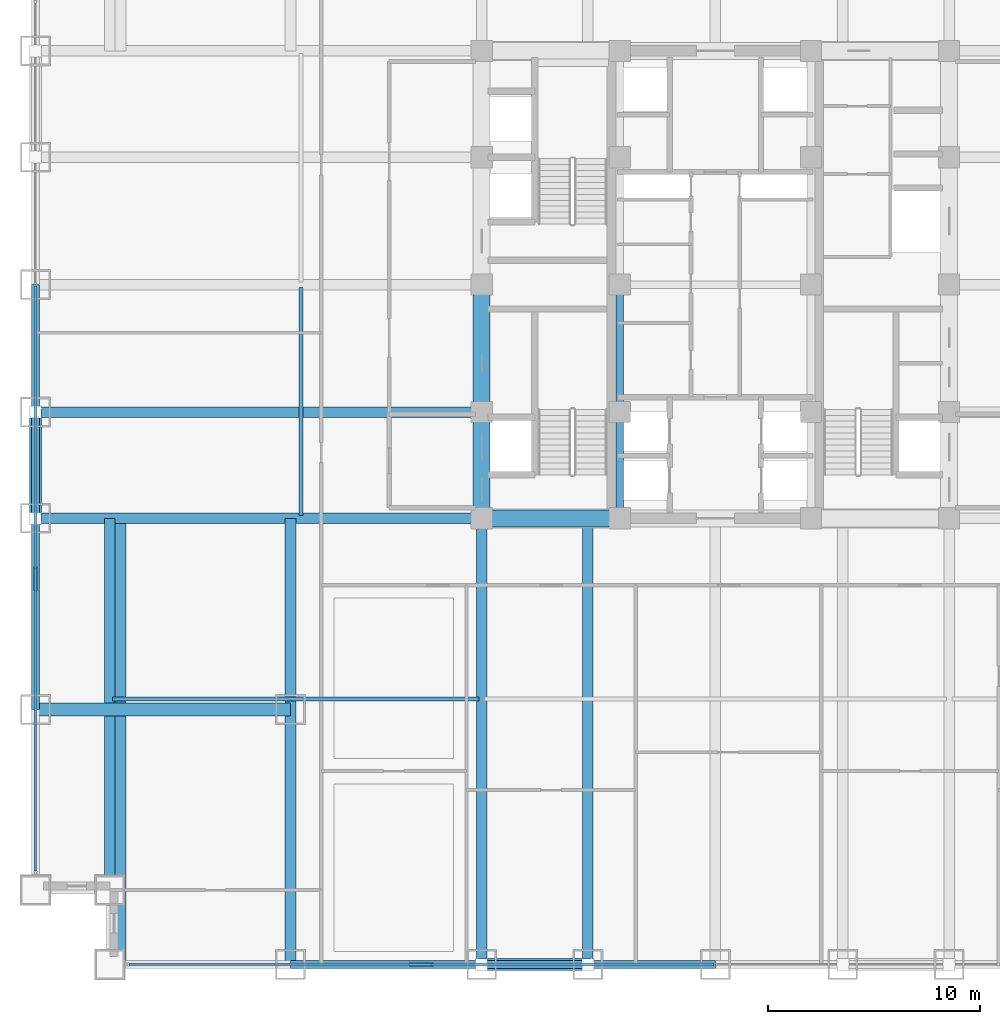
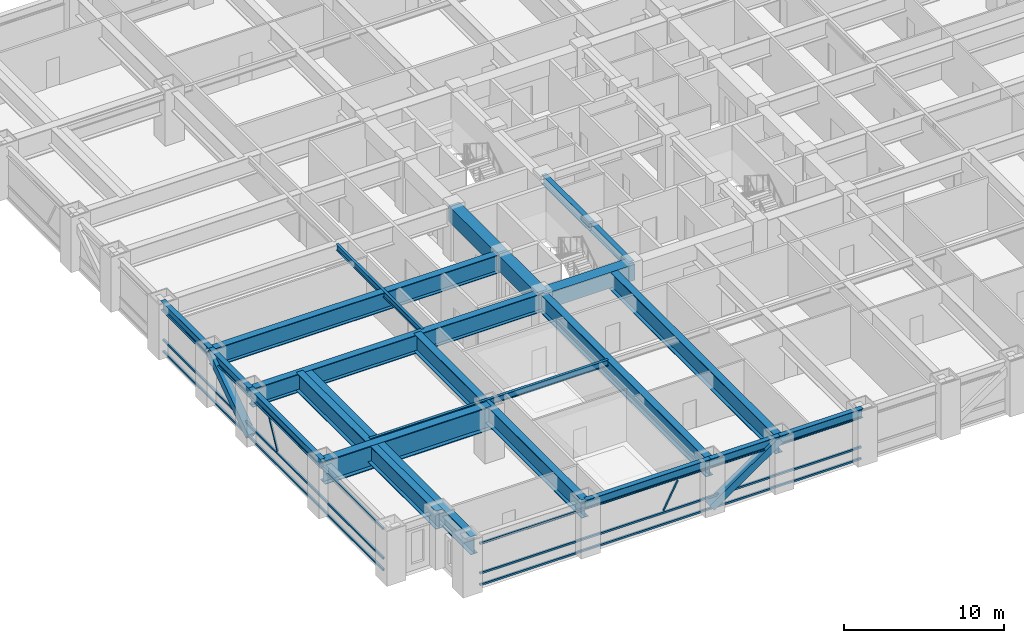
# One storey, part 3 of 29: 21 beams, 10 members, 2 elements without a shape of their own.
"""IFC4 building model written with IfcOpenShell, lengths in metres."""

from ifc_helpers import new_model, si_unit, direction, frame, origin, origin_2d, place, context, subcontext, project, spatial, rectangle, hollow_rectangle, i_section, extrude, source, transform, mapped, material, material_profile, profile_set, type_object, element, aggregate, save


model = new_model("IFC4")

# Units and contexts
model_context = context("Model", 3, precision=1e-05, world=origin(), true_north=direction((0.0, 1.0)))
body_context = subcontext(model_context, "Body", "Model", "MODEL_VIEW")
ifc_project = project(units=[si_unit("LENGTHUNIT", "METRE"), si_unit("AREAUNIT", "SQUARE_METRE"), si_unit("VOLUMEUNIT", "CUBIC_METRE"), si_unit("PLANEANGLEUNIT", "RADIAN"), si_unit("MASSUNIT", "GRAM", prefix="KILO")], contexts=[model_context])

# Site, building, storey
site_placement = place(None, origin())
site = spatial("IfcSite", under=ifc_project, at=site_placement, CompositionType="ELEMENT")
building_placement = place(site_placement, origin())
building = spatial("IfcBuilding", under=site, at=building_placement, Name="Khorayat Bourse Tower", CompositionType="ELEMENT")
storey_placement = place(building_placement, frame((0.0, 0.0, 87.199951171875)))
storey = spatial("IfcBuildingStorey", under=building, at=storey_placement, Name="L19", CompositionType="ELEMENT", Elevation=87.199951171875)

# Beams
ifc_material_1 = material(Name="Concrete C72/90", Category="concrete")
ifc_material_profile_1 = material_profile(ifc_material_1, rectangle(XDim=0.800048828125, YDim=1.199951171875, at=origin_2d()), Name="RC 800x1200")
ifc_profile_set_1 = profile_set([ifc_material_profile_1], Name="Concrete C72/90")
beam_type_1 = type_object("IfcBeamType", Name="BM-COUP-1200", PredefinedType="BEAM", material=ifc_profile_set_1)
shared_shape_1 = source(origin(), body_context, "Body", "SweptSolid", [
    extrude(rectangle(XDim=0.800048828125, YDim=1.199951171875, at=origin_2d()), origin(), (0.0, 0.0, 1.0), 5.0),
])
beam_1_placement = place(storey_placement, frame((-11.0, -11.0, 3.340087890625), z_axis=(0.0, 1.0, 0.0), x_axis=(-1.0, 0.0, 0.0)))
element("IfcBeam", 1, at=beam_1_placement, inside=storey, type_object=beam_type_1, Name="L19 BM-COUP-1200 BM-L19-CRX-01", PredefinedType="BEAM", context=body_context, shape_type="MappedRepresentation", body=[
    mapped(shared_shape_1, transform((0.0, 0.0, 0.0), scale=1.0)),
])
shared_shape_2 = source(origin(), body_context, "Body", "SweptSolid", [
    extrude(rectangle(XDim=0.800048828125, YDim=1.199951171875, at=origin_2d()), origin(), (0.0, 0.0, 1.0), 6.0),
])
beam_2_placement = place(storey_placement, frame((-11.0, -6.0, 3.340087890625), z_axis=(0.0, 1.0, 0.0), x_axis=(-1.0, 0.0, 0.0)))
element("IfcBeam", 2, at=beam_2_placement, inside=storey, type_object=beam_type_1, Name="L19 BM-COUP-1200 BM-L19-CRX-02", PredefinedType="BEAM", context=body_context, shape_type="MappedRepresentation", body=[
    mapped(shared_shape_2, transform((0.0, 0.0, 0.0), scale=1.0)),
])
ifc_material_2 = material(Name="Steel ASTM A992 Grade 50", Category="steel")
ifc_material_profile_2 = material_profile(ifc_material_2, i_section(OverallWidth=0.35498046875, OverallDepth=0.695068359375, WebThickness=0.015380859375, FlangeThickness=0.02490234375, FilletRadius=0.01806640625, at=origin_2d()), Name="W690X217")
ifc_profile_set_2 = profile_set([ifc_material_profile_2], Name="Steel ASTM A992 Grade 50")
beam_type_2 = type_object("IfcBeamType", Name="BM-GIRD-690", PredefinedType="BEAM", material=ifc_profile_set_2)
shared_shape_3 = source(origin(), body_context, "Body", "SweptSolid", [
    extrude(i_section(OverallWidth=0.35498046875, OverallDepth=0.695068359375, WebThickness=0.015380859375, FlangeThickness=0.02490234375, FilletRadius=0.01806640625, at=origin_2d()), origin(), (0.0, 0.0, 1.0), 5.0),
])
beam_3_placement = place(storey_placement, frame((-4.5, -11.0, 3.592529296875), z_axis=(0.0, 1.0, 0.0), x_axis=(-1.0, 0.0, 0.0)))
element("IfcBeam", 3, at=beam_3_placement, inside=storey, type_object=beam_type_2, Name="L19 BM-GIRD-690 BM-L19-CRX-05", PredefinedType="BEAM", context=body_context, shape_type="MappedRepresentation", body=[
    mapped(shared_shape_3, transform((0.0, 0.0, 0.0), scale=1.0)),
])
shared_shape_4 = source(origin(), body_context, "Body", "SweptSolid", [
    extrude(i_section(OverallWidth=0.35498046875, OverallDepth=0.695068359375, WebThickness=0.015380859375, FlangeThickness=0.02490234375, FilletRadius=0.01806640625, at=origin_2d()), origin(), (0.0, 0.0, 1.0), 6.0),
])
beam_4_placement = place(storey_placement, frame((-4.5, -6.0, 3.592529296875), z_axis=(0.0, 1.0, 0.0), x_axis=(-1.0, 0.0, 0.0)))
element("IfcBeam", 4, at=beam_4_placement, inside=storey, type_object=beam_type_2, Name="L19 BM-GIRD-690 BM-L19-CRX-06", PredefinedType="BEAM", context=body_context, shape_type="MappedRepresentation", body=[
    mapped(shared_shape_4, transform((0.0, 0.0, 0.0), scale=1.0)),
])
shared_shape_5 = source(origin(), body_context, "Body", "SweptSolid", [
    extrude(rectangle(XDim=0.800048828125, YDim=1.199951171875, at=origin_2d()), origin(), (0.0, 0.0, 1.0), 6.5),
])
beam_5_placement = place(storey_placement, frame((-11.0, -11.0, 3.340087890625), z_axis=(1.0, 0.0, 0.0), x_axis=(0.0, 1.0, 0.0)))
element("IfcBeam", 5, at=beam_5_placement, inside=storey, type_object=beam_type_1, Name="L19 BM-COUP-1200 BM-L19-CRY-17", PredefinedType="BEAM", context=body_context, shape_type="MappedRepresentation", body=[
    mapped(shared_shape_5, transform((0.0, 0.0, 0.0), scale=1.0)),
])
ifc_material_3 = material(Name="Steel EN 10025-4 S460M", Category="steel")
ifc_material_profile_3 = material_profile(ifc_material_3, i_section(OverallWidth=0.60009765625, OverallDepth=1.800048828125, WebThickness=0.031982421875, FlangeThickness=0.06005859375, at=origin_2d()), Name="PG 1800x600x32x60")
ifc_profile_set_3 = profile_set([ifc_material_profile_3], Name="Steel EN 10025-4 S460M")
beam_type_3 = type_object("IfcBeamType", Name="BM-TR-1800", PredefinedType="BEAM", material=ifc_profile_set_3)
shared_shape_6 = source(origin(), body_context, "Body", "SweptSolid", [
    extrude(i_section(OverallWidth=0.60009765625, OverallDepth=1.800048828125, WebThickness=0.031982421875, FlangeThickness=0.06005859375, at=origin_2d()), origin(), (0.0, 0.0, 1.0), 12.0),
])
beam_6_placement = place(storey_placement, frame((-32.0, -20.0, 3.0400390625), z_axis=(1.0, 0.0, 0.0), x_axis=(0.0, 1.0, 0.0)))
element("IfcBeam", 6, at=beam_6_placement, inside=storey, type_object=beam_type_3, Name="L19 BM-TR-1800 BM-L19-CNRX-097", PredefinedType="BEAM", context=body_context, shape_type="MappedRepresentation", body=[
    mapped(shared_shape_6, transform((0.0, 0.0, 0.0), scale=1.0)),
])
ifc_material_profile_4 = material_profile(ifc_material_2, i_section(OverallWidth=0.35498046875, OverallDepth=0.695068359375, WebThickness=0.015380859375, FlangeThickness=0.02490234375, FilletRadius=0.01806640625, at=origin_2d()), Name="W690X217")
ifc_profile_set_4 = profile_set([ifc_material_profile_4], Name="Steel ASTM A992 Grade 50")
beam_type_4 = type_object("IfcBeamType", Name="BM-SPAN-690", PredefinedType="SPANDREL", material=ifc_profile_set_4)
shared_shape_7 = source(origin(), body_context, "Body", "SweptSolid", [
    extrude(i_section(OverallWidth=0.35498046875, OverallDepth=0.695068359375, WebThickness=0.015380859375, FlangeThickness=0.02490234375, FilletRadius=0.01806640625, at=origin_2d()), origin(), (0.0, 0.0, 1.0), 9.0),
])
for number, where, z_axis, x_axis, name in (
    (7, (-20.0, -32.0, 3.592529296875), (1.0, 0.0, 0.0), (0.0, 1.0, 0.0), "L19 BM-SPAN-690 BM-L19-SPN-025"),
    (8, (-32.0, -20.0, 3.592529296875), (0.0, 1.0, 0.0), (-1.0, 0.0, 0.0), "L19 BM-SPAN-690 BM-L19-SPN-060"),
):
    element("IfcBeam", number, at=place(storey_placement, frame(where, z_axis=z_axis, x_axis=x_axis)), inside=storey, type_object=beam_type_4, Name=name, PredefinedType="SPANDREL", context=body_context, shape_type="MappedRepresentation", body=[
        mapped(shared_shape_7, transform((0.0, 0.0, 0.0), scale=1.0)),
    ])
shared_shape_8 = source(origin(), body_context, "Body", "SweptSolid", [
    extrude(i_section(OverallWidth=0.35498046875, OverallDepth=0.695068359375, WebThickness=0.015380859375, FlangeThickness=0.02490234375, FilletRadius=0.01806640625, at=origin_2d()), origin(), (0.0, 0.0, 1.0), 5.0),
])
for number, where, z_axis, x_axis, name in (
    (9, (-11.0, -32.0, 3.592529296875), (1.0, 0.0, 0.0), (0.0, 1.0, 0.0), "L19 BM-SPAN-690 BM-L19-SPN-026"),
    (10, (-32.0, -11.0, 3.592529296875), (0.0, 1.0, 0.0), (-1.0, 0.0, 0.0), "L19 BM-SPAN-690 BM-L19-SPN-059"),
):
    element("IfcBeam", number, at=place(storey_placement, frame(where, z_axis=z_axis, x_axis=x_axis)), inside=storey, type_object=beam_type_4, Name=name, PredefinedType="SPANDREL", context=body_context, shape_type="MappedRepresentation", body=[
        mapped(shared_shape_8, transform((0.0, 0.0, 0.0), scale=1.0)),
    ])
shared_shape_9 = source(origin(), body_context, "Body", "SweptSolid", [
    extrude(i_section(OverallWidth=0.35498046875, OverallDepth=0.695068359375, WebThickness=0.015380859375, FlangeThickness=0.02490234375, FilletRadius=0.01806640625, at=origin_2d()), origin(), (0.0, 0.0, 1.0), 6.0),
])
for number, where, z_axis, x_axis, name in (
    (11, (-6.0, -32.0, 3.592529296875), (1.0, 0.0, 0.0), (0.0, 1.0, 0.0), "L19 BM-SPAN-690 BM-L19-SPN-027"),
    (12, (-32.0, -6.0, 3.592529296875), (0.0, 1.0, 0.0), (-1.0, 0.0, 0.0), "L19 BM-SPAN-690 BM-L19-SPN-058"),
):
    element("IfcBeam", number, at=place(storey_placement, frame(where, z_axis=z_axis, x_axis=x_axis)), inside=storey, type_object=beam_type_4, Name=name, PredefinedType="SPANDREL", context=body_context, shape_type="MappedRepresentation", body=[
        mapped(shared_shape_9, transform((0.0, 0.0, 0.0), scale=1.0)),
    ])
ifc_material_profile_5 = material_profile(ifc_material_2, i_section(OverallWidth=0.194091796875, OverallDepth=0.468994140625, WebThickness=0.0126953125, FlangeThickness=0.0205078125, FilletRadius=0.012939453125, at=origin_2d()), Name="W460X106")
ifc_profile_set_5 = profile_set([ifc_material_profile_5], Name="Steel ASTM A992 Grade 50")
beam_type_5 = type_object("IfcBeamType", Name="BM-JOIST-460", PredefinedType="JOIST", material=ifc_profile_set_5)
shared_shape_10 = source(origin(), body_context, "Body", "SweptSolid", [
    extrude(i_section(OverallWidth=0.194091796875, OverallDepth=0.468994140625, WebThickness=0.0126953125, FlangeThickness=0.0205078125, FilletRadius=0.012939453125, at=origin_2d()), origin(), (0.0, 0.0, 1.0), 17.240234375),
])
beam_7_placement = place(storey_placement, frame((-28.3701171875, -19.5, 3.70556640625), z_axis=(1.0, 0.0, 0.0), x_axis=(0.0, 1.0, 0.0)))
element("IfcBeam", 13, at=beam_7_placement, inside=storey, type_object=beam_type_5, Name="L19 BM-JOIST-460 BM-L19-JSTX-104", PredefinedType="JOIST", context=body_context, shape_type="MappedRepresentation", body=[
    mapped(shared_shape_10, transform((0.0, 0.0, 0.0), scale=1.0)),
])
shared_shape_11 = source(origin(), body_context, "Body", "SweptSolid", [
    extrude(i_section(OverallWidth=0.194091796875, OverallDepth=0.468994140625, WebThickness=0.0126953125, FlangeThickness=0.0205078125, FilletRadius=0.012939453125, at=origin_2d()), origin(), (0.0, 0.0, 1.0), 10.740234375),
])
beam_8_placement = place(storey_placement, frame((-19.5, -10.8701171875, 3.70556640625), z_axis=(0.0, 1.0, 0.0), x_axis=(-1.0, 0.0, 0.0)))
element("IfcBeam", 14, at=beam_8_placement, inside=storey, type_object=beam_type_5, Name="L19 BM-JOIST-460 BM-L19-JSTY-110", PredefinedType="JOIST", context=body_context, shape_type="MappedRepresentation", body=[
    mapped(shared_shape_11, transform((0.0, 0.0, 0.0), scale=1.0)),
])

# Members
ifc_material_profile_6 = material_profile(ifc_material_3, hollow_rectangle(XDim=0.550048828125, YDim=0.550048828125, WallThickness=0.031982421875, at=origin_2d()), Name="HSS 550x550x32")
ifc_profile_set_6 = profile_set([ifc_material_profile_6], Name="Steel EN 10025-4 S460M")
member_type_1 = type_object("IfcMemberType", Name="MBR-TUBE-550", PredefinedType="BRACE", material=ifc_profile_set_6)
shared_shape_12 = source(origin(), body_context, "Body", "SweptSolid", [
    extrude(hollow_rectangle(XDim=0.550048828125, YDim=0.550048828125, WallThickness=0.031982421875, at=origin_2d()), origin(), (0.0, 0.0, 1.0), 6.069091796875),
])
for number, where, z_axis, x_axis, name in (
    (15, (-11.0, -32.0, 0.25), (0.823854080622, 0.0, 0.566801952928), (0.0, 1.0, 0.0), "L19 Perimeter Tube Brace 01"),
    (16, (-32.0, -11.0, 0.25), (0.0, 0.823854080622, 0.566801952928), (-1.0, 0.0, 0.0), "L19 Perimeter Tube Brace 05"),
):
    element("IfcMember", number, at=place(storey_placement, frame(where, z_axis=z_axis, x_axis=x_axis)), inside=storey, type_object=member_type_1, Name=name, PredefinedType="BRACE", context=body_context, shape_type="MappedRepresentation", body=[
        mapped(shared_shape_12, transform((0.0, 0.0, 0.0), scale=1.0)),
    ])

# Beams
ifc_material_profile_7 = material_profile(ifc_material_3, i_section(OverallWidth=0.5, OverallDepth=1.39990234375, WebThickness=0.02490234375, FlangeThickness=0.050048828125, at=origin_2d()), Name="PG 1400x500x25x50")
ifc_profile_set_7 = profile_set([ifc_material_profile_7], Name="Steel EN 10025-4 S460M")
beam_type_6 = type_object("IfcBeamType", Name="BM-TR-1400", PredefinedType="BEAM", material=ifc_profile_set_7)
shared_shape_13 = source(origin(), body_context, "Body", "SweptSolid", [
    extrude(i_section(OverallWidth=0.5, OverallDepth=1.39990234375, WebThickness=0.02490234375, FlangeThickness=0.050048828125, at=origin_2d()), origin(), (0.0, 0.0, 1.0), 21.0),
])
for number, where, z_axis, x_axis, name in (
    (17, (-11.0, -32.0, 3.239990234375), (0.0, 1.0, 0.0), (-1.0, 0.0, 0.0), "L19 BM-TR-1400 BM-L19-RADY-065"),
    (18, (-6.0, -32.0, 3.239990234375), (0.0, 1.0, 0.0), (-1.0, 0.0, 0.0), "L19 BM-TR-1400 BM-L19-RADY-067"),
    (19, (-32.0, -11.0, 3.239990234375), (1.0, 0.0, 0.0), (0.0, 1.0, 0.0), "L19 BM-TR-1400 BM-L19-RADX-075"),
    (20, (-32.0, -6.0, 3.239990234375), (1.0, 0.0, 0.0), (0.0, 1.0, 0.0), "L19 BM-TR-1400 BM-L19-RADX-077"),
    (21, (-20.0, -32.0, 3.239990234375), (0.0, 1.0, 0.0), (-1.0, 0.0, 0.0), "L19 BM-TR-1400 BM-L19-CNRY-084"),
    (22, (-28.0, -32.0, 3.239990234375), (0.0, 1.0, 0.0), (-1.0, 0.0, 0.0), "L19 BM-TR-1400 BM-L19-CNRY-088"),
):
    element("IfcBeam", number, at=place(storey_placement, frame(where, z_axis=z_axis, x_axis=x_axis)), inside=storey, type_object=beam_type_6, Name=name, PredefinedType="BEAM", context=body_context, shape_type="MappedRepresentation", body=[
        mapped(shared_shape_13, transform((0.0, 0.0, 0.0), scale=1.0)),
    ])
shared_shape_14 = source(origin(), body_context, "Body", "SweptSolid", [
    extrude(i_section(OverallWidth=0.5, OverallDepth=1.39990234375, WebThickness=0.02490234375, FlangeThickness=0.050048828125, at=origin_2d()), origin(), (0.0, 0.0, 1.0), 17.5),
])
beam_9_placement = place(storey_placement, frame((-28.5, -28.5, 3.239990234375), z_axis=(0.0, 1.0, 0.0), x_axis=(-1.0, 0.0, 0.0)))
element("IfcBeam", 23, at=beam_9_placement, inside=storey, type_object=beam_type_6, Name="L19 BM-TR-1400 BM-L19-CNRY-092", PredefinedType="BEAM", context=body_context, shape_type="MappedRepresentation", body=[
    mapped(shared_shape_14, transform((0.0, 0.0, 0.0), scale=1.0)),
])

# Curtain wall, member
ifc_material_4 = material(Name="Aluminium EN AW-6063 T6", Category="aluminium")
curtain_wall_type = type_object("IfcCurtainWallType", Name="CW-SYS-02", PredefinedType="NOTDEFINED", material=ifc_material_4)
curtain_wall_1_placement = place(storey_placement, origin())
curtain_wall_1 = element("IfcCurtainWall", 24, at=curtain_wall_1_placement, inside=storey, type_object=curtain_wall_type, Name="L19 Curtain Wall CW-L19-S1", PredefinedType="NOTDEFINED")
ifc_material_profile_8 = material_profile(ifc_material_4, hollow_rectangle(XDim=0.1201171875, YDim=0.1201171875, WallThickness=0.0048828125, at=origin_2d()), Name="ALU 120x120x5")
ifc_profile_set_8 = profile_set([ifc_material_profile_8], Name="Aluminium EN AW-6063 T6")
member_type_2 = type_object("IfcMemberType", Name="CWM-DIAG-120", PredefinedType="MULLION", material=ifc_profile_set_8)
shared_shape_15 = source(origin(), body_context, "Body", "SweptSolid", [
    extrude(hollow_rectangle(XDim=0.1201171875, YDim=0.1201171875, WallThickness=0.0048828125, at=origin_2d()), origin(), (0.0, 0.0, 1.0), 2.22607421875),
])
member_1_placement = place(storey_placement, frame((-14.3583984375, -32.0, 1.10009765625), z_axis=(0.465759992596, 0.0, 0.884911085532), x_axis=(0.0, 1.0, 0.0)))
member_1 = element("IfcMember", 25, at=member_1_placement, type_object=member_type_2, Name="CW-L19-S1 Faceted Diagonal Mullion 1", PredefinedType="MULLION", context=body_context, shape_type="MappedRepresentation", body=[
    mapped(shared_shape_15, transform((0.0, 0.0, 0.0), scale=1.0)),
])

curtain_wall_2_placement = place(storey_placement, origin())
curtain_wall_2 = element("IfcCurtainWall", 26, at=curtain_wall_2_placement, inside=storey, type_object=curtain_wall_type, Name="L19 Curtain Wall CW-L19-W1", PredefinedType="NOTDEFINED")
member_2_placement = place(storey_placement, frame((-32.0, -14.3583984375, 1.10009765625), z_axis=(0.0, 0.465759992596, 0.884911085532), x_axis=(-1.0, 0.0, 0.0)))
member_2 = element("IfcMember", 27, at=member_2_placement, type_object=member_type_2, Name="CW-L19-W1 Faceted Diagonal Mullion 1", PredefinedType="MULLION", context=body_context, shape_type="MappedRepresentation", body=[
    mapped(shared_shape_15, transform((0.0, 0.0, 0.0), scale=1.0)),
])

# Member
ifc_material_profile_9 = material_profile(ifc_material_4, hollow_rectangle(XDim=0.139892578125, YDim=0.139892578125, WallThickness=0.006103515625, at=origin_2d()), Name="ALU 140x140x6")
ifc_profile_set_9 = profile_set([ifc_material_profile_9], Name="Aluminium EN AW-6063 T6")
member_type_3 = type_object("IfcMemberType", Name="CWT-HORZ-140", PredefinedType="USERDEFINED", material=ifc_profile_set_9)
shared_shape_16 = source(origin(), body_context, "Body", "SweptSolid", [
    extrude(hollow_rectangle(XDim=0.139892578125, YDim=0.139892578125, WallThickness=0.006103515625, at=origin_2d()), origin(), (0.0, 0.0, 1.0), 27.5400390625),
])
member_3_placement = place(storey_placement, frame((-27.610107421875, -32.0, 0.070068359375), z_axis=(1.0, 0.0, 0.0), x_axis=(0.0, 1.0, 0.0)))
member_3 = element("IfcMember", 28, at=member_3_placement, type_object=member_type_3, Name="CW-L19-S1 Horizontal Transom 1-1", ObjectType="TRANSOM", PredefinedType="USERDEFINED", context=body_context, shape_type="MappedRepresentation", body=[
    mapped(shared_shape_16, transform((0.0, 0.0, 0.0), scale=1.0)),
])

member_4_placement = place(storey_placement, frame((-27.610107421875, -32.0, 0.949951171875), z_axis=(1.0, 0.0, 0.0), x_axis=(0.0, 1.0, 0.0)))
member_4 = element("IfcMember", 29, at=member_4_placement, type_object=member_type_3, Name="CW-L19-S1 Horizontal Transom 1-2", ObjectType="TRANSOM", PredefinedType="USERDEFINED", context=body_context, shape_type="MappedRepresentation", body=[
    mapped(shared_shape_16, transform((0.0, 0.0, 0.0), scale=1.0)),
])

member_5_placement = place(storey_placement, frame((-27.610107421875, -32.0, 3.219970703125), z_axis=(1.0, 0.0, 0.0), x_axis=(0.0, 1.0, 0.0)))
member_5 = element("IfcMember", 30, at=member_5_placement, type_object=member_type_3, Name="CW-L19-S1 Horizontal Transom 1-3", ObjectType="TRANSOM", PredefinedType="USERDEFINED", context=body_context, shape_type="MappedRepresentation", body=[
    mapped(shared_shape_16, transform((0.0, 0.0, 0.0), scale=1.0)),
])

aggregate(curtain_wall_1, [member_3, member_4, member_5, member_1])

member_6_placement = place(storey_placement, frame((-32.0, -27.610107421875, 0.070068359375), z_axis=(0.0, 1.0, 0.0), x_axis=(-1.0, 0.0, 0.0)))
member_6 = element("IfcMember", 31, at=member_6_placement, type_object=member_type_3, Name="CW-L19-W1 Horizontal Transom 1-1", ObjectType="TRANSOM", PredefinedType="USERDEFINED", context=body_context, shape_type="MappedRepresentation", body=[
    mapped(shared_shape_16, transform((0.0, 0.0, 0.0), scale=1.0)),
])

member_7_placement = place(storey_placement, frame((-32.0, -27.610107421875, 0.949951171875), z_axis=(0.0, 1.0, 0.0), x_axis=(-1.0, 0.0, 0.0)))
member_7 = element("IfcMember", 32, at=member_7_placement, type_object=member_type_3, Name="CW-L19-W1 Horizontal Transom 1-2", ObjectType="TRANSOM", PredefinedType="USERDEFINED", context=body_context, shape_type="MappedRepresentation", body=[
    mapped(shared_shape_16, transform((0.0, 0.0, 0.0), scale=1.0)),
])

member_8_placement = place(storey_placement, frame((-32.0, -27.610107421875, 3.219970703125), z_axis=(0.0, 1.0, 0.0), x_axis=(-1.0, 0.0, 0.0)))
member_8 = element("IfcMember", 33, at=member_8_placement, type_object=member_type_3, Name="CW-L19-W1 Horizontal Transom 1-3", ObjectType="TRANSOM", PredefinedType="USERDEFINED", context=body_context, shape_type="MappedRepresentation", body=[
    mapped(shared_shape_16, transform((0.0, 0.0, 0.0), scale=1.0)),
])

aggregate(curtain_wall_2, [member_6, member_7, member_8, member_2])

save(model, "model.ifc")
